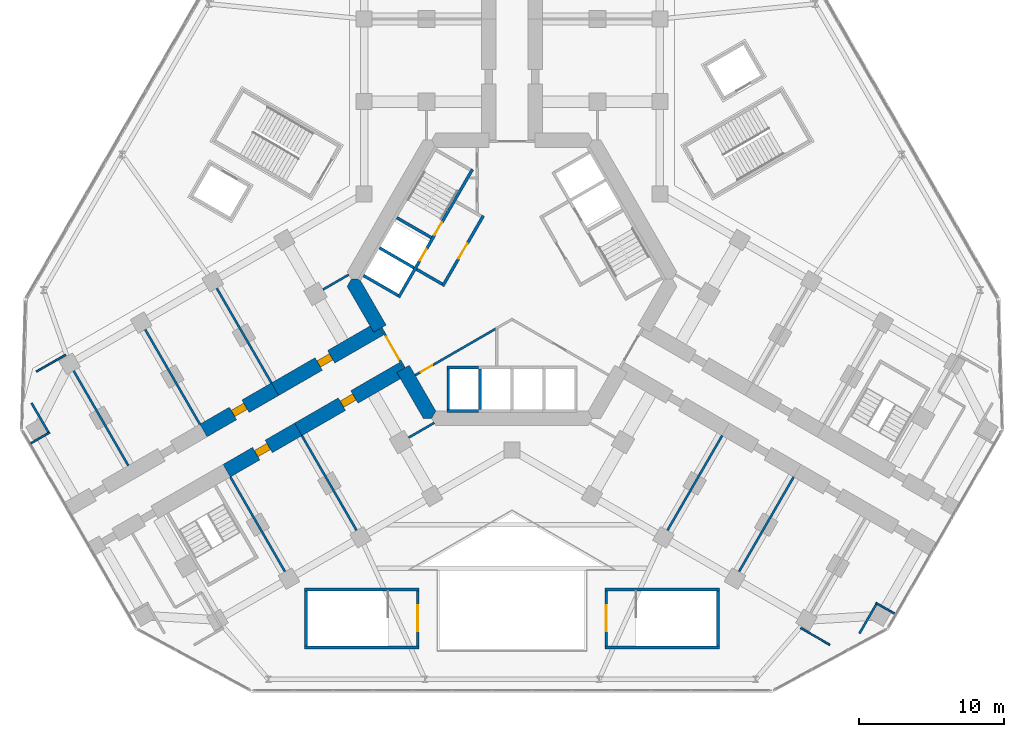
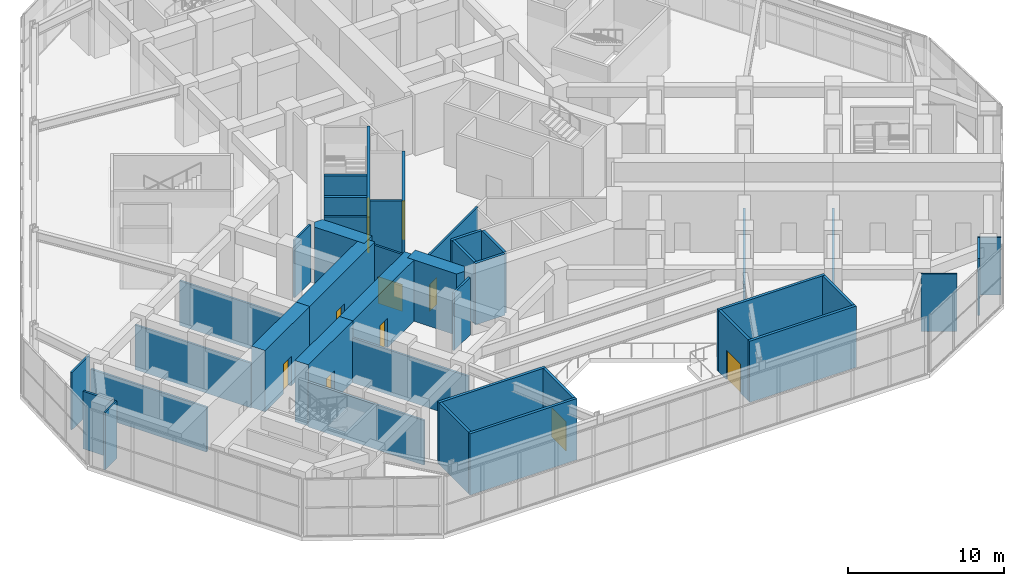
# One storey, part 15 of 22: 41 walls, 11 doors, 11 openings.
"""IFC4 building model written with IfcOpenShell, lengths in metres."""

from ifc_helpers import new_model, si_unit, direction, frame, frame_2d, origin, place, context, subcontext, project, spatial, polyline, rectangle, outline, extrude, material, layer, layer_set, type_object, element, fill, save


model = new_model("IFC4")

# Units and contexts
model_context = context("Model", 3, precision=1e-05, world=origin(), true_north=direction((0.0, 1.0)))
body_context = subcontext(model_context, "Body", "Model", "MODEL_VIEW")
ifc_project = project(units=[si_unit("LENGTHUNIT", "METRE"), si_unit("AREAUNIT", "SQUARE_METRE"), si_unit("VOLUMEUNIT", "CUBIC_METRE"), si_unit("PLANEANGLEUNIT", "RADIAN"), si_unit("MASSUNIT", "GRAM", prefix="KILO")], contexts=[model_context])

# Site, building, storey
site_placement = place(None, origin())
site = spatial("IfcSite", under=ifc_project, at=site_placement, CompositionType="ELEMENT")
building_placement = place(site_placement, origin())
building = spatial("IfcBuilding", under=site, at=building_placement, Name="Kosmar Iwan School Tower", CompositionType="ELEMENT")
storey_placement = place(building_placement, frame((0.0, 0.0, 15.60009765625)))
storey = spatial("IfcBuildingStorey", under=building, at=storey_placement, Name="L03", CompositionType="ELEMENT", Elevation=15.60009765625)

# Wall, opening, door
ifc_material_1 = material(Name="Gypsum board on steel studs, fire-rated", Category="steel")
ifc_layer_1 = layer(ifc_material_1, 0.14990234375)
ifc_layer_set_1 = layer_set([ifc_layer_1], Name="Core room partition 150")
wall_type_1 = type_object("IfcWallType", Name="Core room partition 150", PredefinedType="PARTITIONING", material=ifc_layer_set_1)
wall_1_placement = place(storey_placement, frame((-6.676513671875, -6.6259765625, 0.0), z_axis=(0.0, 0.0, 1.0), x_axis=(0.866029782671, 0.499992415469, 0.0)))
wall_1 = element("IfcWall", 1, at=wall_1_placement, inside=storey, type_object=wall_type_1, Name="Core room partition L03-CW7", PredefinedType="PARTITIONING", context=body_context, shape_type="SweptSolid", body=[
    extrude(rectangle(XDim=6.57568359375, YDim=0.14990234375, at=frame_2d((3.287841796875, 0.0))), origin(), (0.0, 0.0, 1.0), 4.5),
])
opening_1_placement = place(wall_1_placement, frame((0.455078125, 0.0, 0.0)))
opening_1 = element("IfcOpeningElement", 2, at=opening_1_placement, cuts=wall_1, Name="Opening D14", PredefinedType="OPENING", context=body_context, shape_type="SweptSolid", body=[
    extrude(rectangle(XDim=0.89990234375, YDim=2.10009765625, at=frame_2d((0.449951171875, 1.050048828125))), frame((0.0, 0.0869140625, 0.0), z_axis=(0.0, -1.0, 0.0), x_axis=(1.0, 0.0, 0.0)), (0.0, 0.0, 1.0), 0.173828125),
])
ifc_material_2 = material(Name="Timber fire door in steel frame", Category="steel")
door_type_1 = type_object("IfcDoorType", Name="Core room door 900x2100", OperationType="SINGLE_SWING_LEFT", PredefinedType="DOOR", material=ifc_material_2)
door_1_placement = place(opening_1_placement, origin())
door_1 = element("IfcDoor", 3, at=door_1_placement, inside=storey, type_object=door_type_1, Name="Staff WC door L03 4", OperationType="SINGLE_SWING_LEFT", OverallHeight=2.10009765625, OverallWidth=0.89990234375, PredefinedType="DOOR", context=body_context, shape_type="SweptSolid", body=[
    extrude(rectangle(XDim=0.89990234375, YDim=2.10009765625, at=frame_2d((0.449951171875, 1.050048828125))), frame((0.0, 0.02490234375, 0.0), z_axis=(0.0, -1.0, 0.0), x_axis=(1.0, 0.0, 0.0)), (0.0, 0.0, 1.0), 0.050048828125),
])
fill(opening_1, door_1)

# Walls
ifc_material_3 = material(Name="Concrete C50/60", Category="concrete")
ifc_layer_2 = layer(ifc_material_3, 1.0)
ifc_layer_set_2 = layer_set([ifc_layer_2], Name="Core wall 1000")
wall_type_2 = type_object("IfcWallType", Name="Core wall 1000", PredefinedType="SHEAR", material=ifc_layer_set_2)
wall_2_placement = place(storey_placement, origin())
element("IfcWall", 4, at=wall_2_placement, inside=storey, type_object=wall_type_2, Name="Core wall F210a", PredefinedType="SHEAR", context=body_context, shape_type="SweptSolid", body=[
    extrude(outline(polyline([(-9.546875, -3.664306640625), (-8.680908203125, -3.164306640625), (-10.5078125, 0.0), (-11.085205078125, 0.0), (-11.373779296875, -0.5), (-9.546875, -3.664306640625)])), origin(), (0.0, 0.0, 1.0), 4.7998046875),
])
wall_3_placement = place(storey_placement, origin())
element("IfcWall", 5, at=wall_3_placement, inside=storey, type_object=wall_type_2, Name="Core wall F210b", PredefinedType="SHEAR", context=body_context, shape_type="SweptSolid", body=[
    extrude(outline(polyline([(-6.119873046875, -9.60009765625), (-5.54248046875, -9.60009765625), (-5.25390625, -9.10009765625), (-7.080810546875, -5.935546875), (-7.94677734375, -6.435546875), (-6.119873046875, -9.60009765625)])), origin(), (0.0, 0.0, 1.0), 4.7998046875),
])

# Wall, opening, door
ifc_material_4 = material(Name="Concrete C50/60", Category="concrete")
ifc_layer_3 = layer(ifc_material_4, 1.0)
ifc_layer_set_3 = layer_set([ifc_layer_3], Name="Corridor buttress wall 1000")
wall_type_3 = type_object("IfcWallType", Name="Corridor buttress wall 1000", PredefinedType="SHEAR", material=ifc_layer_set_3)
wall_4_placement = place(storey_placement, frame((-7.513916015625, -6.185546875, 0.0), z_axis=(0.0, 0.0, 1.0), x_axis=(-0.866019549707, -0.500010139422, 0.0)))
wall_4 = element("IfcWall", 6, at=wall_4_placement, inside=storey, type_object=wall_type_3, Name="Corridor wall BL", PredefinedType="SHEAR", context=body_context, shape_type="SweptSolid", body=[
    extrude(rectangle(XDim=8.349853515625, YDim=1.0, at=frame_2d((4.1748046875, 0.0))), origin(), (0.0, 0.0, 1.0), 4.7998046875),
])
opening_2_placement = place(wall_4_placement, frame((3.875, 0.0, 0.0)))
opening_2 = element("IfcOpeningElement", 7, at=opening_2_placement, cuts=wall_4, Name="Opening D4", PredefinedType="OPENING", context=body_context, shape_type="SweptSolid", body=[
    extrude(rectangle(XDim=1.0, YDim=2.300048828125, at=frame_2d((0.5, 1.14990234375))), frame((0.0, 0.511962890625, 0.0), z_axis=(0.0, -1.0, 0.0), x_axis=(1.0, 0.0, 0.0)), (0.0, 0.0, 1.0), 1.02392578125),
])
ifc_material_5 = material(Name="Timber fire door with vision panel", Category="wood")
door_type_2 = type_object("IfcDoorType", Name="Classroom door 1000x2300", OperationType="SINGLE_SWING_LEFT", PredefinedType="DOOR", material=ifc_material_5)
door_2_placement = place(opening_2_placement, origin())
door_2 = element("IfcDoor", 8, at=door_2_placement, inside=storey, type_object=door_type_2, Name="Secondary classroom BL1 door L03-BL1", OperationType="SINGLE_SWING_RIGHT", OverallHeight=2.300048828125, OverallWidth=1.0, PredefinedType="DOOR", context=body_context, shape_type="SweptSolid", body=[
    extrude(rectangle(XDim=1.0, YDim=2.300048828125, at=frame_2d((0.5, 1.14990234375))), frame((0.0, 0.25, 0.0), z_axis=(0.0, -1.0, 0.0), x_axis=(1.0, 0.0, 0.0)), (0.0, 0.0, 1.0), 0.5),
])
fill(opening_2, door_2)

wall_5_placement = place(storey_placement, frame((-14.7451171875, -10.360595703125, 0.0), z_axis=(0.0, 0.0, 1.0), x_axis=(-0.866015111908, -0.50001782563, 0.0)))
wall_5 = element("IfcWall", 9, at=wall_5_placement, inside=storey, type_object=wall_type_3, Name="Corridor wall BL bay 2", PredefinedType="SHEAR", context=body_context, shape_type="SweptSolid", body=[
    extrude(rectangle(XDim=5.699951171875, YDim=1.0, at=frame_2d((2.85009765625, 0.0))), origin(), (0.0, 0.0, 1.0), 4.7998046875),
])
opening_3_placement = place(wall_5_placement, frame((2.35009765625, 0.0, 0.0)))
opening_3 = element("IfcOpeningElement", 10, at=opening_3_placement, cuts=wall_5, Name="Opening D4", PredefinedType="OPENING", context=body_context, shape_type="SweptSolid", body=[
    extrude(rectangle(XDim=1.0, YDim=2.300048828125, at=frame_2d((0.5, 1.14990234375))), frame((0.0, 0.511962890625, 0.0), z_axis=(0.0, -1.0, 0.0), x_axis=(1.0, 0.0, 0.0)), (0.0, 0.0, 1.0), 1.02392578125),
])
door_3_placement = place(opening_3_placement, origin())
door_3 = element("IfcDoor", 11, at=door_3_placement, inside=storey, type_object=door_type_2, Name="Secondary classroom BL2 door L03-BL2", OperationType="SINGLE_SWING_LEFT", OverallHeight=2.300048828125, OverallWidth=1.0, PredefinedType="DOOR", context=body_context, shape_type="SweptSolid", body=[
    extrude(rectangle(XDim=1.0, YDim=2.300048828125, at=frame_2d((0.5, 1.14990234375))), frame((0.0, 0.25, 0.0), z_axis=(0.0, -1.0, 0.0), x_axis=(1.0, 0.0, 0.0)), (0.0, 0.0, 1.0), 0.5),
])
fill(opening_3, door_3)

wall_6_placement = place(storey_placement, frame((-9.11376953125, -3.414306640625, 0.0), z_axis=(0.0, 0.0, 1.0), x_axis=(-0.866026859388, -0.499997478812, 0.0)))
wall_6 = element("IfcWall", 12, at=wall_6_placement, inside=storey, type_object=wall_type_3, Name="Corridor wall BR", PredefinedType="SHEAR", context=body_context, shape_type="SweptSolid", body=[
    extrude(rectangle(XDim=8.35009765625, YDim=1.0, at=frame_2d((4.175048828125, 0.0))), origin(), (0.0, 0.0, 1.0), 4.7998046875),
])
opening_4_placement = place(wall_6_placement, frame((3.875, 0.0, 0.0)))
opening_4 = element("IfcOpeningElement", 13, at=opening_4_placement, cuts=wall_6, Name="Opening D4", PredefinedType="OPENING", context=body_context, shape_type="SweptSolid", body=[
    extrude(rectangle(XDim=1.0, YDim=2.300048828125, at=frame_2d((0.5, 1.14990234375))), frame((0.0, 0.511962890625, 0.0), z_axis=(0.0, -1.0, 0.0), x_axis=(1.0, 0.0, 0.0)), (0.0, 0.0, 1.0), 1.02392578125),
])
door_4_placement = place(opening_4_placement, origin())
door_4 = element("IfcDoor", 14, at=door_4_placement, inside=storey, type_object=door_type_2, Name="Secondary classroom BR1 door L03-BR1", OperationType="SINGLE_SWING_RIGHT", OverallHeight=2.300048828125, OverallWidth=1.0, PredefinedType="DOOR", context=body_context, shape_type="SweptSolid", body=[
    extrude(rectangle(XDim=1.0, YDim=2.300048828125, at=frame_2d((0.5, 1.14990234375))), frame((0.0, 0.25, 0.0), z_axis=(0.0, -1.0, 0.0), x_axis=(1.0, 0.0, 0.0)), (0.0, 0.0, 1.0), 0.5),
])
fill(opening_4, door_4)

wall_7_placement = place(storey_placement, frame((-16.34521484375, -7.58935546875, 0.0), z_axis=(0.0, 0.0, 1.0), x_axis=(-0.866015111908, -0.50001782563, 0.0)))
wall_7 = element("IfcWall", 15, at=wall_7_placement, inside=storey, type_object=wall_type_3, Name="Corridor wall BR bay 2", PredefinedType="SHEAR", context=body_context, shape_type="SweptSolid", body=[
    extrude(rectangle(XDim=5.699951171875, YDim=1.0, at=frame_2d((2.85009765625, 0.0))), origin(), (0.0, 0.0, 1.0), 4.7998046875),
])
opening_5_placement = place(wall_7_placement, frame((2.35009765625, 0.0, 0.0)))
opening_5 = element("IfcOpeningElement", 16, at=opening_5_placement, cuts=wall_7, Name="Opening D4", PredefinedType="OPENING", context=body_context, shape_type="SweptSolid", body=[
    extrude(rectangle(XDim=1.0, YDim=2.300048828125, at=frame_2d((0.5, 1.14990234375))), frame((0.0, 0.511962890625, 0.0), z_axis=(0.0, -1.0, 0.0), x_axis=(1.0, 0.0, 0.0)), (0.0, 0.0, 1.0), 1.02392578125),
])
door_5_placement = place(opening_5_placement, origin())
door_5 = element("IfcDoor", 17, at=door_5_placement, inside=storey, type_object=door_type_2, Name="Secondary classroom BR2 door L03-BR2", OperationType="SINGLE_SWING_RIGHT", OverallHeight=2.300048828125, OverallWidth=1.0, PredefinedType="DOOR", context=body_context, shape_type="SweptSolid", body=[
    extrude(rectangle(XDim=1.0, YDim=2.300048828125, at=frame_2d((0.5, 1.14990234375))), frame((0.0, 0.25, 0.0), z_axis=(0.0, -1.0, 0.0), x_axis=(1.0, 0.0, 0.0)), (0.0, 0.0, 1.0), 0.5),
])
fill(opening_5, door_5)

ifc_material_6 = material(Name="Steel framed glazed screen", Category="steel")
ifc_layer_4 = layer(ifc_material_6, 0.14990234375)
ifc_layer_set_4 = layer_set([ifc_layer_4], Name="Corridor screen wall 150")
wall_type_4 = type_object("IfcWallType", Name="Corridor screen wall 150", PredefinedType="PARTITIONING", material=ifc_layer_set_4)
wall_8_placement = place(storey_placement, frame((-9.02734375, -3.3642578125, 0.0), z_axis=(0.0, 0.0, 1.0), x_axis=(0.499995408039, -0.866028054938, 0.0)))
wall_8 = element("IfcWall", 18, at=wall_8_placement, inside=storey, type_object=wall_type_4, Name="Corridor screen B L03", PredefinedType="PARTITIONING", context=body_context, shape_type="SweptSolid", body=[
    extrude(rectangle(XDim=3.2001953125, YDim=0.14990234375, at=frame_2d((1.60009765625, 0.0))), origin(), (0.0, 0.0, 1.0), 4.5),
])
opening_6_placement = place(wall_8_placement, frame((0.699951171875, 0.0, 0.0)))
opening_6 = element("IfcOpeningElement", 19, at=opening_6_placement, cuts=wall_8, Name="Opening D9", PredefinedType="OPENING", context=body_context, shape_type="SweptSolid", body=[
    extrude(rectangle(XDim=1.800048828125, YDim=2.10009765625, at=frame_2d((0.89990234375, 1.050048828125))), frame((0.0, 0.0869140625, 0.0), z_axis=(0.0, -1.0, 0.0), x_axis=(1.0, 0.0, 0.0)), (0.0, 0.0, 1.0), 0.173828125),
])
ifc_material_7 = material(Name="Steel framed glazed smoke door", Category="steel")
door_type_3 = type_object("IfcDoorType", Name="Corridor smoke door pair 1800x2100", OperationType="DOUBLE_DOOR_DOUBLE_SWING", PredefinedType="DOOR", material=ifc_material_7)
door_6_placement = place(opening_6_placement, origin())
door_6 = element("IfcDoor", 20, at=door_6_placement, inside=storey, type_object=door_type_3, Name="Corridor doors B L03", OperationType="DOUBLE_DOOR_DOUBLE_SWING", OverallHeight=2.10009765625, OverallWidth=1.800048828125, PredefinedType="DOOR", context=body_context, shape_type="SweptSolid", body=[
    extrude(rectangle(XDim=1.800048828125, YDim=2.10009765625, at=frame_2d((0.89990234375, 1.050048828125))), frame((0.0, 0.02490234375, 0.0), z_axis=(0.0, -1.0, 0.0), x_axis=(1.0, 0.0, 0.0)), (0.0, 0.0, 1.0), 0.050048828125),
])
fill(opening_6, door_6)

# Walls
ifc_material_8 = material(Name="Gypsum board on steel studs", Category="steel")
ifc_layer_5 = layer(ifc_material_8, 0.1201171875)
ifc_layer_set_5 = layer_set([ifc_layer_5], Name="Dwelling partition 120")
wall_type_5 = type_object("IfcWallType", Name="Dwelling partition 120", PredefinedType="PARTITIONING", material=ifc_layer_set_5)
wall_9_placement = place(storey_placement, frame((-31.88720703125, -10.569580078125, 0.0), z_axis=(0.0, 0.0, 1.0), x_axis=(-0.866003374288, -0.500038154266, 0.0)))
element("IfcWall", 21, at=wall_9_placement, inside=storey, type_object=wall_type_5, Name="Partition L03-BR-DL", PredefinedType="PARTITIONING", context=body_context, shape_type="SweptSolid", body=[
    extrude(rectangle(XDim=1.4951171875, YDim=0.1201171875, at=frame_2d((0.74755859375, 0.0))), origin(), (0.0, 0.0, 1.0), 4.5),
])
wall_10_placement = place(storey_placement, frame((-30.79296875, -5.215087890625, 0.0), z_axis=(0.0, 0.0, 1.0), x_axis=(-0.865998469481, -0.500046648681, 0.0)))
element("IfcWall", 22, at=wall_10_placement, inside=storey, type_object=wall_type_5, Name="Partition L03-BR-TW", PredefinedType="PARTITIONING", context=body_context, shape_type="SweptSolid", body=[
    extrude(rectangle(XDim=2.324951171875, YDim=0.1201171875, at=frame_2d((1.16259765625, 0.0))), origin(), (0.0, 0.0, 1.0), 4.5),
])
wall_11_placement = place(storey_placement, frame((25.09716796875, -22.330322265625, 0.0), z_axis=(0.0, 0.0, 1.0), x_axis=(0.866003374288, -0.500038154266, 0.0)))
element("IfcWall", 23, at=wall_11_placement, inside=storey, type_object=wall_type_5, Name="Partition L03-CR-DL", PredefinedType="PARTITIONING", context=body_context, shape_type="SweptSolid", body=[
    extrude(rectangle(XDim=1.4951171875, YDim=0.1201171875, at=frame_2d((0.74755859375, 0.0))), origin(), (0.0, 0.0, 1.0), 4.5),
])
wall_12_placement = place(storey_placement, frame((19.912841796875, -24.059814453125, 0.0), z_axis=(0.0, 0.0, 1.0), x_axis=(0.866024722723, -0.500001179632, 0.0)))
element("IfcWall", 24, at=wall_12_placement, inside=storey, type_object=wall_type_5, Name="Partition L03-CR-TW", PredefinedType="PARTITIONING", context=body_context, shape_type="SweptSolid", body=[
    extrude(rectangle(XDim=2.3251953125, YDim=0.1201171875, at=frame_2d((1.16259765625, 0.0))), origin(), (0.0, 0.0, 1.0), 4.5),
])

# Wall, opening, door
ifc_material_9 = material(Name="Concrete block masonry", Category="masonry")
ifc_layer_6 = layer(ifc_material_9, 0.199951171875)
ifc_layer_set_6 = layer_set([ifc_layer_6], Name="Fire lobby wall 200")
wall_type_6 = type_object("IfcWallType", Name="Fire lobby wall 200", PredefinedType="PARTITIONING", material=ifc_layer_set_6)
wall_13_placement = place(storey_placement, frame((-1.9775390625, 4.374755859375, 0.0), z_axis=(0.0, 0.0, 1.0), x_axis=(-0.500016814911, -0.866015695474, 0.0)))
wall_13 = element("IfcWall", 25, at=wall_13_placement, inside=storey, type_object=wall_type_6, Name="Firefighting lobby wall ST2", PredefinedType="PARTITIONING", context=body_context, shape_type="SweptSolid", body=[
    extrude(rectangle(XDim=5.599853515625, YDim=0.199951171875, at=frame_2d((2.7998046875, 0.0))), origin(), (0.0, 0.0, 1.0), 4.5),
])
opening_7_placement = place(wall_13_placement, frame((2.199951171875, 0.0, 0.0)))
opening_7 = element("IfcOpeningElement", 26, at=opening_7_placement, cuts=wall_13, Name="Opening D7", PredefinedType="OPENING", context=body_context, shape_type="SweptSolid", body=[
    extrude(rectangle(XDim=1.199951171875, YDim=2.10009765625, at=frame_2d((0.60009765625, 1.050048828125))), frame((0.0, 0.112060546875, 0.0), z_axis=(0.0, -1.0, 0.0), x_axis=(1.0, 0.0, 0.0)), (0.0, 0.0, 1.0), 0.223876953125),
])
ifc_material_10 = material(Name="Steel fire door", Category="steel")
door_type_4 = type_object("IfcDoorType", Name="Fire lobby door 1200x2100", OperationType="SINGLE_SWING_LEFT", PredefinedType="DOOR", material=ifc_material_10)
door_7_placement = place(opening_7_placement, origin())
door_7 = element("IfcDoor", 27, at=door_7_placement, inside=storey, type_object=door_type_4, Name="Firefighting lobby door ST2 L03", OperationType="SINGLE_SWING_LEFT", OverallHeight=2.10009765625, OverallWidth=1.199951171875, PredefinedType="DOOR", context=body_context, shape_type="SweptSolid", body=[
    extrude(rectangle(XDim=1.199951171875, YDim=2.10009765625, at=frame_2d((0.60009765625, 1.050048828125))), frame((0.0, 0.02490234375, 0.0), z_axis=(0.0, -1.0, 0.0), x_axis=(1.0, 0.0, 0.0)), (0.0, 0.0, 1.0), 0.050048828125),
])
fill(opening_7, door_7)

# Wall
wall_14_placement = place(storey_placement, frame((-4.814208984375, -0.33837890625, 0.0), z_axis=(0.0, 0.0, 1.0), x_axis=(-0.865969381856, 0.500097020274, 0.0)))
element("IfcWall", 28, at=wall_14_placement, inside=storey, type_object=wall_type_6, Name="Firefighting lobby wall ST2", PredefinedType="PARTITIONING", context=body_context, shape_type="SweptSolid", body=[
    extrude(rectangle(XDim=2.0498046875, YDim=0.199951171875, at=frame_2d((1.02490234375, 0.0))), origin(), (0.0, 0.0, 1.0), 4.5),
])

# Wall, openings, doors
ifc_material_11 = material(Name="Concrete C50/60", Category="concrete")
ifc_layer_7 = layer(ifc_material_11, 0.199951171875)
ifc_layer_set_7 = layer_set([ifc_layer_7], Name="Lift shaft wall 200")
wall_type_7 = type_object("IfcWallType", Name="Lift shaft wall 200", PredefinedType="SHEAR", material=ifc_layer_set_7)
wall_15_placement = place(storey_placement, frame((-2.72607421875, 7.578369140625, 0.0), z_axis=(0.0, 0.0, 1.0), x_axis=(-0.500005610874, -0.86602216432, 0.0)))
wall_15 = element("IfcWall", 29, at=wall_15_placement, inside=storey, type_object=wall_type_7, Name="Lift and stair front wall AB", PredefinedType="SHEAR", context=body_context, shape_type="SweptSolid", body=[
    extrude(rectangle(XDim=10.2001953125, YDim=0.199951171875, at=frame_2d((5.10009765625, 0.0))), origin(), (0.0, 0.0, 1.0), 4.7998046875),
])
opening_8_placement = place(wall_15_placement, frame((6.35009765625, 0.0, 0.0)))
opening_8 = element("IfcOpeningElement", 30, at=opening_8_placement, cuts=wall_15, Name="Opening LD2", PredefinedType="OPENING", context=body_context, shape_type="SweptSolid", body=[
    extrude(rectangle(XDim=0.89990234375, YDim=2.10009765625, at=frame_2d((0.449951171875, 1.050048828125))), frame((0.0, 0.112060546875, 0.0), z_axis=(0.0, -1.0, 0.0), x_axis=(1.0, 0.0, 0.0)), (0.0, 0.0, 1.0), 0.223876953125),
])
opening_9_placement = place(wall_15_placement, frame((4.22998046875, 0.0, 0.0)))
opening_9 = element("IfcOpeningElement", 31, at=opening_9_placement, cuts=wall_15, Name="Opening D6", PredefinedType="OPENING", context=body_context, shape_type="SweptSolid", body=[
    extrude(rectangle(XDim=1.0, YDim=2.10009765625, at=frame_2d((0.5, 1.050048828125))), frame((0.0, 0.112060546875, 0.0), z_axis=(0.0, -1.0, 0.0), x_axis=(1.0, 0.0, 0.0)), (0.0, 0.0, 1.0), 0.223876953125),
])
ifc_material_12 = material(Name="Stainless steel sliding lift door", Category="steel")
door_type_5 = type_object("IfcDoorType", Name="Firefighting lift landing door 900x2100", OperationType="SLIDING_TO_LEFT", PredefinedType="DOOR", material=ifc_material_12)
door_8_placement = place(opening_8_placement, origin())
door_8 = element("IfcDoor", 32, at=door_8_placement, inside=storey, type_object=door_type_5, Name="Lift FF2 landing door L03", OperationType="SLIDING_TO_LEFT", OverallHeight=2.10009765625, OverallWidth=0.89990234375, PredefinedType="DOOR", context=body_context, shape_type="SweptSolid", body=[
    extrude(rectangle(XDim=0.89990234375, YDim=2.10009765625, at=frame_2d((0.449951171875, 1.050048828125))), frame((0.0, 0.02490234375, 0.0), z_axis=(0.0, -1.0, 0.0), x_axis=(1.0, 0.0, 0.0)), (0.0, 0.0, 1.0), 0.050048828125),
])
fill(opening_8, door_8)
ifc_material_13 = material(Name="Steel fire door", Category="steel")
door_type_6 = type_object("IfcDoorType", Name="Stair door 1000x2100", OperationType="SINGLE_SWING_LEFT", PredefinedType="DOOR", material=ifc_material_13)
door_9_placement = place(opening_9_placement, origin())
door_9 = element("IfcDoor", 33, at=door_9_placement, inside=storey, type_object=door_type_6, Name="Stair ST2 door L03", OperationType="SINGLE_SWING_LEFT", OverallHeight=2.10009765625, OverallWidth=1.0, PredefinedType="DOOR", context=body_context, shape_type="SweptSolid", body=[
    extrude(rectangle(XDim=1.0, YDim=2.10009765625, at=frame_2d((0.5, 1.050048828125))), frame((0.0, 0.02490234375, 0.0), z_axis=(0.0, -1.0, 0.0), x_axis=(1.0, 0.0, 0.0)), (0.0, 0.0, 1.0), 0.050048828125),
])
fill(opening_9, door_9)

# Walls
for number, where, z_axis, x_axis, name in (
    (34, (-6.7626953125, 0.78662109375, 0.0), (0.0, 0.0, 1.0), (-0.866027397988, 0.499996545922, 0.0), "Lift shaft wall AB 1"),
    (35, (-7.862548828125, -1.118408203125, 0.0), (0.0, 0.0, 1.0), (-0.866027397988, 0.499996545922, 0.0), "Lift shaft wall AB 2"),
):
    element("IfcWall", number, at=place(storey_placement, frame(where, z_axis=z_axis, x_axis=x_axis)), inside=storey, type_object=wall_type_7, Name=name, PredefinedType="SHEAR", context=body_context, shape_type="SweptSolid", body=[
        extrude(rectangle(XDim=2.75, YDim=0.199951171875, at=frame_2d((1.375, 0.0))), origin(), (0.0, 0.0, 1.0), 4.7998046875),
    ])
for number, where, z_axis, x_axis, name in (
    (36, (-4.5, -6.10009765625, 0.0), (0.0, 0.0, 1.0), (1.0, 0.0, 0.0), "Lift and stair front wall BC"),
    (37, (-4.5, -9.10009765625, 0.0), (0.0, 0.0, 1.0), (1.0, 0.0, 0.0), "Lift and stair back wall BC"),
):
    element("IfcWall", number, at=place(storey_placement, frame(where, z_axis=z_axis, x_axis=x_axis)), inside=storey, type_object=wall_type_7, Name=name, PredefinedType="SHEAR", context=body_context, shape_type="SweptSolid", body=[
        extrude(rectangle(XDim=2.199951171875, YDim=0.199951171875, at=frame_2d((1.10009765625, 0.0))), origin(), (0.0, 0.0, 1.0), 4.7998046875),
    ])
for number, where, z_axis, x_axis, name in (
    (38, (-4.39990234375, -6.199951171875, 0.0), (0.0, 0.0, 1.0), (0.0, -1.0, 0.0), "Lift shaft wall BC 0"),
    (39, (-2.199951171875, -6.199951171875, 0.0), (0.0, 0.0, 1.0), (0.0, -1.0, 0.0), "Lift shaft wall BC 1"),
):
    element("IfcWall", number, at=place(storey_placement, frame(where, z_axis=z_axis, x_axis=x_axis)), inside=storey, type_object=wall_type_7, Name=name, PredefinedType="SHEAR", context=body_context, shape_type="SweptSolid", body=[
        extrude(rectangle(XDim=2.800048828125, YDim=0.199951171875, at=frame_2d((1.39990234375, 0.0))), origin(), (0.0, 0.0, 1.0), 4.7998046875),
    ])
ifc_material_14 = material(Name="Gypsum board on steel studs", Category="steel")
ifc_layer_8 = layer(ifc_material_14, 0.14990234375)
ifc_layer_set_8 = layer_set([ifc_layer_8], Name="School partition 150")
wall_type_8 = type_object("IfcWallType", Name="School partition 150", PredefinedType="PARTITIONING", material=ifc_layer_set_8)
wall_16_placement = place(storey_placement, frame((-5.36376953125, -9.909423828125, 0.0), z_axis=(0.0, 0.0, 1.0), x_axis=(-0.865999163574, -0.500045446624, 0.0)))
element("IfcWall", 40, at=wall_16_placement, inside=storey, type_object=wall_type_8, Name="Partition L03-BL-NB", PredefinedType="PARTITIONING", context=body_context, shape_type="SweptSolid", body=[
    extrude(rectangle(XDim=2.050048828125, YDim=0.14990234375, at=frame_2d((1.02490234375, 0.0))), origin(), (0.0, 0.0, 1.0), 4.5),
])
wall_17_placement = place(storey_placement, frame((-14.4951171875, -10.793701171875, 0.0), z_axis=(0.0, 0.0, 1.0), x_axis=(0.500007509209, -0.866021068297, 0.0)))
element("IfcWall", 41, at=wall_17_placement, inside=storey, type_object=wall_type_8, Name="Partition L03-BL-X1", PredefinedType="PARTITIONING", context=body_context, shape_type="SweptSolid", body=[
    extrude(rectangle(XDim=8.599853515625, YDim=0.14990234375, at=frame_2d((4.2998046875, 0.0))), origin(), (0.0, 0.0, 1.0), 3.5),
])
wall_18_placement = place(storey_placement, frame((-19.431396484375, -13.6435546875, 0.0), z_axis=(0.0, 0.0, 1.0), x_axis=(0.499973925258, -0.86604045752, 0.0)))
element("IfcWall", 42, at=wall_18_placement, inside=storey, type_object=wall_type_8, Name="Partition L03-BL-X2", PredefinedType="PARTITIONING", context=body_context, shape_type="SweptSolid", body=[
    extrude(rectangle(XDim=8.60009765625, YDim=0.14990234375, at=frame_2d((4.300048828125, 0.0))), origin(), (0.0, 0.0, 1.0), 3.5),
])
wall_19_placement = place(storey_placement, frame((-11.263916015625, 0.3095703125, 0.0), z_axis=(0.0, 0.0, 1.0), x_axis=(-0.865999163574, -0.500045446624, 0.0)))
element("IfcWall", 43, at=wall_19_placement, inside=storey, type_object=wall_type_8, Name="Partition L03-BR-NB", PredefinedType="PARTITIONING", context=body_context, shape_type="SweptSolid", body=[
    extrude(rectangle(XDim=2.050048828125, YDim=0.14990234375, at=frame_2d((1.02490234375, 0.0))), origin(), (0.0, 0.0, 1.0), 4.5),
])
wall_20_placement = place(storey_placement, frame((-31.922119140625, -10.6591796875, 0.0), z_axis=(0.0, 0.0, 1.0), x_axis=(-0.500048010679, 0.865997683031, 0.0)))
element("IfcWall", 44, at=wall_20_placement, inside=storey, type_object=wall_type_8, Name="Partition L03-BR-DC", PredefinedType="PARTITIONING", context=body_context, shape_type="SweptSolid", body=[
    extrude(rectangle(XDim=2.445068359375, YDim=0.14990234375, at=frame_2d((1.22265625, 0.0))), origin(), (0.0, 0.0, 1.0), 4.5),
])
for number, where, z_axis, x_axis, name in (
    (45, (-16.59521484375, -7.15625, 0.0), (0.0, 0.0, 1.0), (-0.500007509209, 0.866021068297, 0.0), "Partition L03-BR-X1"),
    (46, (-21.531494140625, -10.00634765625, 0.0), (0.0, 0.0, 1.0), (-0.500007509209, 0.866021068297, 0.0), "Partition L03-BR-X2"),
):
    element("IfcWall", number, at=place(storey_placement, frame(where, z_axis=z_axis, x_axis=x_axis)), inside=storey, type_object=wall_type_8, Name=name, PredefinedType="PARTITIONING", context=body_context, shape_type="SweptSolid", body=[
        extrude(rectangle(XDim=8.599853515625, YDim=0.14990234375, at=frame_2d((4.2998046875, 0.0))), origin(), (0.0, 0.0, 1.0), 3.5),
    ])
wall_21_placement = place(storey_placement, frame((-26.4677734375, -12.8564453125, 0.0), z_axis=(0.0, 0.0, 1.0), x_axis=(-0.499995216735, 0.866028165386, 0.0)))
element("IfcWall", 47, at=wall_21_placement, inside=storey, type_object=wall_type_8, Name="Partition L03-BR-X3", PredefinedType="PARTITIONING", context=body_context, shape_type="SweptSolid", body=[
    extrude(rectangle(XDim=8.60009765625, YDim=0.14990234375, at=frame_2d((4.300048828125, 0.0))), origin(), (0.0, 0.0, 1.0), 3.5),
])
wall_22_placement = place(storey_placement, frame((25.192138671875, -22.31591796875, 0.0), z_axis=(0.0, 0.0, 1.0), x_axis=(-0.499973122483, -0.86604092097, 0.0)))
element("IfcWall", 48, at=wall_22_placement, inside=storey, type_object=wall_type_8, Name="Partition L03-CR-DC", PredefinedType="PARTITIONING", context=body_context, shape_type="SweptSolid", body=[
    extrude(rectangle(XDim=2.445068359375, YDim=0.14990234375, at=frame_2d((1.22265625, 0.0))), origin(), (0.0, 0.0, 1.0), 4.5),
])
wall_23_placement = place(storey_placement, frame((14.4951171875, -10.793701171875, 0.0), z_axis=(0.0, 0.0, 1.0), x_axis=(-0.500007509209, -0.866021068297, 0.0)))
element("IfcWall", 49, at=wall_23_placement, inside=storey, type_object=wall_type_8, Name="Partition L03-CR-X1", PredefinedType="PARTITIONING", context=body_context, shape_type="SweptSolid", body=[
    extrude(rectangle(XDim=8.599853515625, YDim=0.14990234375, at=frame_2d((4.2998046875, 0.0))), origin(), (0.0, 0.0, 1.0), 3.5),
])
wall_24_placement = place(storey_placement, frame((19.431396484375, -13.6435546875, 0.0), z_axis=(0.0, 0.0, 1.0), x_axis=(-0.499973925258, -0.86604045752, 0.0)))
element("IfcWall", 50, at=wall_24_placement, inside=storey, type_object=wall_type_8, Name="Partition L03-CR-X2", PredefinedType="PARTITIONING", context=body_context, shape_type="SweptSolid", body=[
    extrude(rectangle(XDim=8.60009765625, YDim=0.14990234375, at=frame_2d((4.300048828125, 0.0))), origin(), (0.0, 0.0, 1.0), 3.5),
])
ifc_material_15 = material(Name="Concrete C50/60", Category="concrete")
ifc_layer_9 = layer(ifc_material_15, 0.199951171875)
ifc_layer_set_9 = layer_set([ifc_layer_9], Name="Stair enclosure wall 200")
wall_type_9 = type_object("IfcWallType", Name="Stair enclosure wall 200", PredefinedType="SHEAR", material=ifc_layer_set_9)
wall_25_placement = place(storey_placement, frame((-5.562744140625, 2.865234375, 0.0), z_axis=(0.0, 0.0, 1.0), x_axis=(-0.866027397988, 0.499996545922, 0.0)))
element("IfcWall", 51, at=wall_25_placement, inside=storey, type_object=wall_type_9, Name="Stair ST2 wall", PredefinedType="SHEAR", context=body_context, shape_type="SweptSolid", body=[
    extrude(rectangle(XDim=2.75, YDim=0.199951171875, at=frame_2d((1.375, 0.0))), origin(), (0.0, 0.0, 1.0), 4.7998046875),
])
for number, where, z_axis, x_axis, name in (
    (52, (-14.300048828125, -21.39990234375, 0.0), (0.0, 0.0, 1.0), (1.0, 0.0, 0.0), "School stair SS1 wall"),
    (53, (-14.300048828125, -25.39990234375, 0.0), (0.0, 0.0, 1.0), (1.0, 0.0, 0.0), "School stair SS1 wall"),
):
    element("IfcWall", number, at=place(storey_placement, frame(where, z_axis=z_axis, x_axis=x_axis)), inside=storey, type_object=wall_type_9, Name=name, PredefinedType="SHEAR", context=body_context, shape_type="SweptSolid", body=[
        extrude(rectangle(XDim=7.900146484375, YDim=0.199951171875, at=frame_2d((3.9501953125, 0.0))), origin(), (0.0, 0.0, 1.0), 4.7998046875),
    ])
wall_26_placement = place(storey_placement, frame((-14.199951171875, -21.5, 0.0), z_axis=(0.0, 0.0, 1.0), x_axis=(0.0, -1.0, 0.0)))
element("IfcWall", 54, at=wall_26_placement, inside=storey, type_object=wall_type_9, Name="School stair SS1 wall", PredefinedType="SHEAR", context=body_context, shape_type="SweptSolid", body=[
    extrude(rectangle(XDim=3.800048828125, YDim=0.199951171875, at=frame_2d((1.89990234375, 0.0))), origin(), (0.0, 0.0, 1.0), 4.7998046875),
])

# Wall, opening, door
wall_27_placement = place(storey_placement, frame((-6.5, -21.5, 0.0), z_axis=(0.0, 0.0, 1.0), x_axis=(0.0, -1.0, 0.0)))
wall_27 = element("IfcWall", 55, at=wall_27_placement, inside=storey, type_object=wall_type_9, Name="School stair SS1 wall", PredefinedType="SHEAR", context=body_context, shape_type="SweptSolid", body=[
    extrude(rectangle(XDim=3.800048828125, YDim=0.199951171875, at=frame_2d((1.89990234375, 0.0))), origin(), (0.0, 0.0, 1.0), 4.7998046875),
])
opening_10_placement = place(wall_27_placement, frame((1.0, 0.0, 0.0)))
opening_10 = element("IfcOpeningElement", 56, at=opening_10_placement, cuts=wall_27, Name="Opening D8", PredefinedType="OPENING", context=body_context, shape_type="SweptSolid", body=[
    extrude(rectangle(XDim=1.800048828125, YDim=2.300048828125, at=frame_2d((0.89990234375, 1.14990234375))), frame((0.0, 0.112060546875, 0.0), z_axis=(0.0, -1.0, 0.0), x_axis=(1.0, 0.0, 0.0)), (0.0, 0.0, 1.0), 0.223876953125),
])
ifc_material_16 = material(Name="Steel fire door", Category="steel")
door_type_7 = type_object("IfcDoorType", Name="School stair door pair 1800x2300", OperationType="DOUBLE_DOOR_SINGLE_SWING", PredefinedType="DOOR", material=ifc_material_16)
door_10_placement = place(opening_10_placement, origin())
door_10 = element("IfcDoor", 57, at=door_10_placement, inside=storey, type_object=door_type_7, Name="School stair SS1 door L03", OperationType="DOUBLE_DOOR_SINGLE_SWING", OverallHeight=2.300048828125, OverallWidth=1.800048828125, PredefinedType="DOOR", context=body_context, shape_type="SweptSolid", body=[
    extrude(rectangle(XDim=1.800048828125, YDim=2.300048828125, at=frame_2d((0.89990234375, 1.14990234375))), frame((0.0, 0.02490234375, 0.0), z_axis=(0.0, -1.0, 0.0), x_axis=(1.0, 0.0, 0.0)), (0.0, 0.0, 1.0), 0.050048828125),
])
fill(opening_10, door_10)

# Walls
for number, where, z_axis, x_axis, name in (
    (58, (6.39990234375, -21.39990234375, 0.0), (0.0, 0.0, 1.0), (1.0, 0.0, 0.0), "School stair SS2 wall"),
    (59, (6.39990234375, -25.39990234375, 0.0), (0.0, 0.0, 1.0), (1.0, 0.0, 0.0), "School stair SS2 wall"),
):
    element("IfcWall", number, at=place(storey_placement, frame(where, z_axis=z_axis, x_axis=x_axis)), inside=storey, type_object=wall_type_9, Name=name, PredefinedType="SHEAR", context=body_context, shape_type="SweptSolid", body=[
        extrude(rectangle(XDim=7.900146484375, YDim=0.199951171875, at=frame_2d((3.9501953125, 0.0))), origin(), (0.0, 0.0, 1.0), 4.7998046875),
    ])
wall_28_placement = place(storey_placement, frame((14.199951171875, -21.5, 0.0), z_axis=(0.0, 0.0, 1.0), x_axis=(0.0, -1.0, 0.0)))
element("IfcWall", 60, at=wall_28_placement, inside=storey, type_object=wall_type_9, Name="School stair SS2 wall", PredefinedType="SHEAR", context=body_context, shape_type="SweptSolid", body=[
    extrude(rectangle(XDim=3.800048828125, YDim=0.199951171875, at=frame_2d((1.89990234375, 0.0))), origin(), (0.0, 0.0, 1.0), 4.7998046875),
])

# Wall, opening, door
wall_29_placement = place(storey_placement, frame((6.5, -21.5, 0.0), z_axis=(0.0, 0.0, 1.0), x_axis=(0.0, -1.0, 0.0)))
wall_29 = element("IfcWall", 61, at=wall_29_placement, inside=storey, type_object=wall_type_9, Name="School stair SS2 wall", PredefinedType="SHEAR", context=body_context, shape_type="SweptSolid", body=[
    extrude(rectangle(XDim=3.800048828125, YDim=0.199951171875, at=frame_2d((1.89990234375, 0.0))), origin(), (0.0, 0.0, 1.0), 4.7998046875),
])
opening_11_placement = place(wall_29_placement, frame((1.0, 0.0, 0.0)))
opening_11 = element("IfcOpeningElement", 62, at=opening_11_placement, cuts=wall_29, Name="Opening D8", PredefinedType="OPENING", context=body_context, shape_type="SweptSolid", body=[
    extrude(rectangle(XDim=1.800048828125, YDim=2.300048828125, at=frame_2d((0.89990234375, 1.14990234375))), frame((0.0, 0.112060546875, 0.0), z_axis=(0.0, -1.0, 0.0), x_axis=(1.0, 0.0, 0.0)), (0.0, 0.0, 1.0), 0.223876953125),
])
door_11_placement = place(opening_11_placement, origin())
door_11 = element("IfcDoor", 63, at=door_11_placement, inside=storey, type_object=door_type_7, Name="School stair SS2 door L03", OperationType="DOUBLE_DOOR_SINGLE_SWING", OverallHeight=2.300048828125, OverallWidth=1.800048828125, PredefinedType="DOOR", context=body_context, shape_type="SweptSolid", body=[
    extrude(rectangle(XDim=1.800048828125, YDim=2.300048828125, at=frame_2d((0.89990234375, 1.14990234375))), frame((0.0, 0.02490234375, 0.0), z_axis=(0.0, -1.0, 0.0), x_axis=(1.0, 0.0, 0.0)), (0.0, 0.0, 1.0), 0.050048828125),
])
fill(opening_11, door_11)

save(model, "model.ifc")
